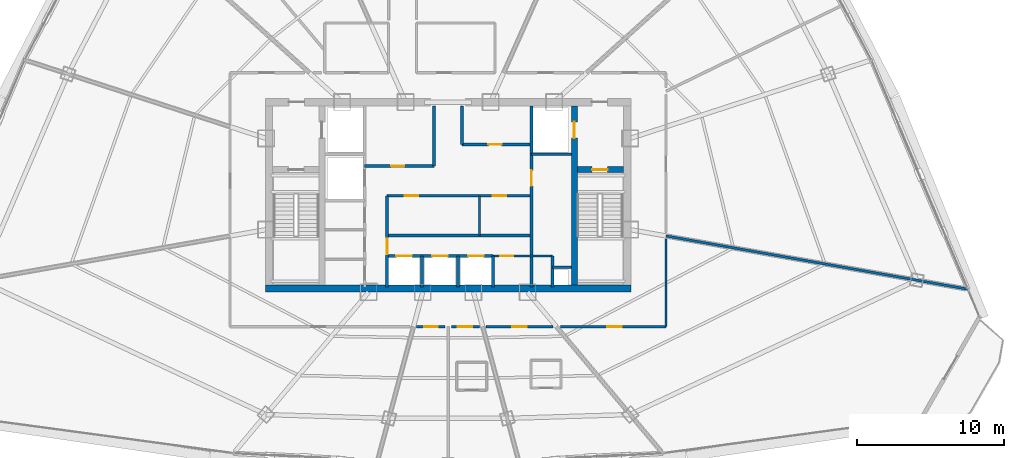
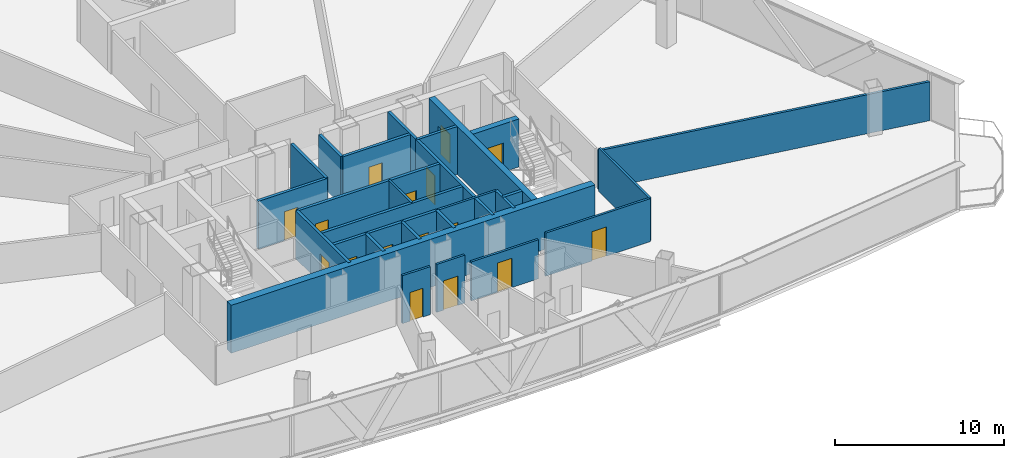
# One storey, part 28 of 34: 27 walls, 16 doors, 16 openings.
"""IFC4 building model written with IfcOpenShell, lengths in metres."""

import ifcopenshell
import ifcopenshell.guid

model = None  # the IFC model being written
_history = None  # IfcOwnerHistory: only IFC2X3 demands one
_inside = {}  # id of a spatial element -> (the spatial element, [elements in it])
_under = {}  # id of a project, library or spatial element -> (it, [spatial elements below it])
_declared = {}  # id of a project -> (the project, [libraries it declares])
_typed = {}  # id of a type object -> (the type object, [elements of that type])
_made_of = {}  # id of a material, layer set ... -> (it, [elements and type objects made of it])


def new_model(schema):
    """Start an empty IFC model of exactly this schema.

    Asked for "IFC4X3", IfcOpenShell would pick the latest addendum, in which some entities
    have other attributes; the version numbers below select the first issue.
    IFC2X3 requires an IfcOwnerHistory on every rooted entity: one is made here for all.
    """
    global model, _history
    if schema == "IFC4X3":
        model = ifcopenshell.file(schema_version=(4, 3, 0, 0))
    else:
        model = ifcopenshell.file(schema=schema)
    _inside.clear()
    _under.clear()
    _declared.clear()
    _typed.clear()
    _made_of.clear()
    _history = None
    if model.schema == "IFC2X3":
        org = make("IfcOrganization", Name="unknown")
        user = make(
            "IfcPersonAndOrganization",
            ThePerson=make("IfcPerson", FamilyName="unknown"),
            TheOrganization=org,
        )
        app = make(
            "IfcApplication",
            ApplicationDeveloper=org,
            Version="unknown",
            ApplicationFullName="unknown",
            ApplicationIdentifier="unknown",
        )
        _history = make(
            "IfcOwnerHistory",
            OwningUser=user,
            OwningApplication=app,
            ChangeAction="ADDED",
            CreationDate=0,
        )
    return model


def make(cls, **values):
    """One entity of the class cls with the attributes given. An attribute that is None is left unset."""
    return model.create_entity(
        cls, **{name: value for name, value in values.items() if value is not None}
    )


def rooted(cls, **values):
    """An entity with a GlobalId (a new one), such as an element, a storey or a relation."""
    return make(cls, GlobalId=ifcopenshell.guid.new(), OwnerHistory=_history, **values)


def si_unit(unit_type, name, prefix=None):
    """IfcSIUnit, for example si_unit("LENGTHUNIT", "METRE", prefix="MILLI")."""
    return make("IfcSIUnit", UnitType=unit_type, Prefix=prefix, Name=name)


def assignment(units):
    """IfcUnitAssignment: the units of a project."""
    return None if units is None else make("IfcUnitAssignment", Units=units)


def point(xyz):
    """IfcCartesianPoint."""
    return None if xyz is None else make("IfcCartesianPoint", Coordinates=xyz)


def direction(xyz):
    """IfcDirection."""
    return None if xyz is None else make("IfcDirection", DirectionRatios=xyz)


def frame(location, z_axis=None, x_axis=None):
    """IfcAxis2Placement3D, a coordinate frame: its origin and axes. An axis left out is left unset."""
    return make(
        "IfcAxis2Placement3D",
        Location=point(location),
        Axis=direction(z_axis),
        RefDirection=direction(x_axis),
    )


def frame_2d(location, x_axis=None):
    """IfcAxis2Placement2D, a coordinate frame in the plane: its origin and x axis."""
    return make(
        "IfcAxis2Placement2D", Location=point(location), RefDirection=direction(x_axis)
    )


def origin():
    """The frame at (0, 0, 0) with its axes left unset."""
    return frame((0.0, 0.0, 0.0))


def origin_with_axes():
    """The frame at (0, 0, 0) with the z axis (0, 0, 1) and the x axis (1, 0, 0) written out."""
    return frame((0.0, 0.0, 0.0), z_axis=(0.0, 0.0, 1.0), x_axis=(1.0, 0.0, 0.0))


def place(relative_to, where):
    """IfcLocalPlacement: puts the frame where relative to a parent placement (None: the world)."""
    return make(
        "IfcLocalPlacement", PlacementRelTo=relative_to, RelativePlacement=where
    )


def context(
    kind, dimensions, precision=None, world=None, true_north=None, identifier=None
):
    """IfcGeometricRepresentationContext, for example the 3D "Model" context."""
    return make(
        "IfcGeometricRepresentationContext",
        ContextIdentifier=identifier,
        ContextType=kind,
        CoordinateSpaceDimension=dimensions,
        Precision=precision,
        WorldCoordinateSystem=world,
        TrueNorth=true_north,
    )


def subcontext(parent, identifier, kind, view, scale=None):
    """IfcGeometricRepresentationSubContext, for example "Body" below "Model"."""
    return make(
        "IfcGeometricRepresentationSubContext",
        ContextIdentifier=identifier,
        ContextType=kind,
        ParentContext=parent,
        TargetScale=scale,
        TargetView=view,
    )


def project(units=None, contexts=None):
    """IfcProject with its units and contexts."""
    return rooted(
        "IfcProject",
        Name="project",
        RepresentationContexts=contexts,
        UnitsInContext=assignment(units),
    )


def spatial(cls, under=None, at=None, **own):
    """A site, building, storey or space (cls), placed at a placement, below another one or the project."""
    s = rooted(cls, ObjectPlacement=at, **own)
    if under is not None:
        _under.setdefault(under.id(), (under, []))[1].append(s)
    return s


def profile(cls, at=None, kind="AREA", **sizes):
    """A parametric profile (cls). Its sizes go by their IFC names, for example OverallWidth=200.0."""
    return make(cls, ProfileType=kind, Position=at, **sizes)


def rectangle(**sizes):
    """IfcRectangleProfileDef."""
    return profile("IfcRectangleProfileDef", **sizes)


def extrude(swept, where, along, depth):
    """IfcExtrudedAreaSolid: the profile swept, set in the frame where, extruded along a direction by depth."""
    return make(
        "IfcExtrudedAreaSolid",
        SweptArea=swept,
        Position=where,
        ExtrudedDirection=direction(along),
        Depth=depth,
    )


def shape(context_of_items, identifier, shape_type, items):
    """IfcShapeRepresentation: the items that make up one representation, for example the "Body"."""
    return make(
        "IfcShapeRepresentation",
        ContextOfItems=context_of_items,
        RepresentationIdentifier=identifier,
        RepresentationType=shape_type,
        Items=items,
    )


def source(mapping_origin, context_of_items, identifier, shape_type, items):
    """IfcRepresentationMap: a shape defined once, which mapped items show again and again."""
    return make(
        "IfcRepresentationMap",
        MappingOrigin=mapping_origin,
        MappedRepresentation=shape(context_of_items, identifier, shape_type, items),
    )


def transform(
    local_origin,
    x_axis=None,
    y_axis=None,
    z_axis=None,
    scale=None,
    scale2=None,
    scale3=None,
    uniform=True,
):
    """IfcCartesianTransformationOperator3D, or its non-uniform kind. x_axis, y_axis, z_axis: its Axis1, 2, 3."""
    if uniform:
        return make(
            "IfcCartesianTransformationOperator3D",
            Axis1=direction(x_axis),
            Axis2=direction(y_axis),
            LocalOrigin=point(local_origin),
            Scale=scale,
            Axis3=direction(z_axis),
        )
    return make(
        "IfcCartesianTransformationOperator3DnonUniform",
        Axis1=direction(x_axis),
        Axis2=direction(y_axis),
        LocalOrigin=point(local_origin),
        Scale=scale,
        Axis3=direction(z_axis),
        Scale2=scale2,
        Scale3=scale3,
    )


def mapped(mapping_source, mapping_target):
    """IfcMappedItem: shows the shape of a source again, moved by a transform."""
    return make(
        "IfcMappedItem", MappingSource=mapping_source, MappingTarget=mapping_target
    )


def material(Name=None, Category=None):
    """IfcMaterial."""
    return make("IfcMaterial", Name=Name, Category=Category)


def layer(
    of_material, thickness, ventilated=None, Name=None, Category=None, Priority=None
):
    """IfcMaterialLayer: one layer of a wall or slab, of a material (None: an air gap)."""
    return make(
        "IfcMaterialLayer",
        Material=of_material,
        LayerThickness=thickness,
        IsVentilated=ventilated,
        Name=Name,
        Category=Category,
        Priority=Priority,
    )


def layer_set(layers, Name=None):
    """IfcMaterialLayerSet."""
    return make("IfcMaterialLayerSet", MaterialLayers=layers, LayerSetName=Name)


def made_of(thing, what):
    """Note that an element or type object is made of a material, layer set ...; save() writes the relation."""
    if what is not None:
        _made_of.setdefault(what.id(), (what, []))[1].append(thing)
    return thing


def type_object(cls, material=None, **own):
    """A type object (cls), such as IfcWallType, which elements share."""
    return made_of(rooted(cls, **own), material)


def element(
    cls,
    number,
    at=None,
    inside=None,
    cuts=None,
    type_object=None,
    material=None,
    context=None,
    identifier="Body",
    shape_type=None,
    held_by="IfcProductDefinitionShape",
    body=None,
    shapes=None,
    **own,
):
    """One element of the class cls, such as IfcWall. Its Tag is "e" and its number.

    at: its placement. inside: the storey or other place that contains it. cuts: it is an
    opening in that element (IfcRelVoidsElement). A single representation is given by context,
    identifier, shape_type and body (its items); several are given by shapes. held_by: the class
    of the entity that holds the representations. save() writes the other relations.
    """
    e = rooted(cls, Tag="e%d" % number, ObjectPlacement=at, **own)
    if body is not None:
        shapes = [shape(context, identifier, shape_type, body)]
    if shapes is not None:
        e.Representation = make(held_by, Representations=shapes)
    if inside is not None:
        _inside.setdefault(inside.id(), (inside, []))[1].append(e)
    if cuts is not None:
        rooted(
            "IfcRelVoidsElement", RelatingBuildingElement=cuts, RelatedOpeningElement=e
        )
    if type_object is not None:
        _typed.setdefault(type_object.id(), (type_object, []))[1].append(e)
    return made_of(e, material)


def fill(opening, filler):
    """IfcRelFillsElement: the door or window that sits in an opening."""
    return rooted(
        "IfcRelFillsElement",
        RelatingOpeningElement=opening,
        RelatedBuildingElement=filler,
    )


def aggregate(whole, parts):
    """IfcRelAggregates: a whole, such as a stair, and the parts it consists of."""
    return rooted("IfcRelAggregates", RelatingObject=whole, RelatedObjects=parts)


def save(model, path):
    """Write the relations noted so far, then the file.

    IfcRelAggregates (storeys below a building ...), IfcRelContainedInSpatialStructure (elements
    in a storey), IfcRelDefinesByType, IfcRelAssociatesMaterial and IfcRelDeclares: one each for
    every whole, place, type object, material and project.
    """
    for whole, parts in _under.values():
        aggregate(whole, parts)
    for where, things in _inside.values():
        rooted(
            "IfcRelContainedInSpatialStructure",
            RelatedElements=things,
            RelatingStructure=where,
        )
    for kind, things in _typed.values():
        rooted("IfcRelDefinesByType", RelatedObjects=things, RelatingType=kind)
    for what, things in _made_of.values():
        rooted("IfcRelAssociatesMaterial", RelatedObjects=things, RelatingMaterial=what)
    for by, libraries in _declared.values():
        rooted("IfcRelDeclares", RelatingContext=by, RelatedDefinitions=libraries)
    model.write(path)


model = new_model("IFC4")

# Units and contexts
model_context = context("Model", 3, precision=1e-05, world=origin(), true_north=direction((0.0, 1.0)))
body_context = subcontext(model_context, "Body", "Model", "MODEL_VIEW")
ifc_project = project(units=[si_unit("LENGTHUNIT", "METRE"), si_unit("AREAUNIT", "SQUARE_METRE"), si_unit("VOLUMEUNIT", "CUBIC_METRE"), si_unit("PLANEANGLEUNIT", "RADIAN"), si_unit("MASSUNIT", "GRAM", prefix="KILO"), si_unit("THERMODYNAMICTEMPERATUREUNIT", "KELVIN"), si_unit("POWERUNIT", "WATT")], contexts=[model_context])

# Site, building, storey
site_placement = place(None, origin())
site = spatial("IfcSite", under=ifc_project, at=site_placement, CompositionType="ELEMENT")
building_placement = place(site_placement, origin())
building = spatial("IfcBuilding", under=site, at=building_placement, Name="Yunzhuo Pagoda Commons", CompositionType="ELEMENT")
storey_placement = place(building_placement, frame((0.0, 0.0, 233.340087890625)))
storey = spatial("IfcBuildingStorey", under=building, at=storey_placement, Name="L58", CompositionType="ELEMENT", Elevation=233.340087890625)

# Walls
ifc_material_1 = material(Name="Concrete C50", Category="concrete")
ifc_layer_1 = layer(ifc_material_1, 0.5)
ifc_layer_set_1 = layer_set([ifc_layer_1], Name="Concrete C50")
wall_type_1 = type_object("IfcWallType", Name="W-C03 Upper Core Shear Wall 500", PredefinedType="SHEAR", material=ifc_layer_set_1)
wall_1_placement = place(storey_placement, frame((35.550048828125, 27.5, 0.0), z_axis=(0.0, 0.0, 1.0), x_axis=(1.0, 0.0, 0.0)))
element("IfcWall", 1, at=wall_1_placement, inside=storey, type_object=wall_type_1, Name="L58 core shear wall S", PredefinedType="SHEAR", context=body_context, shape_type="SweptSolid", body=[
    extrude(rectangle(XDim=24.89990234375, YDim=0.5, at=frame_2d((12.449951171875, 0.0))), origin(), (0.0, 0.0, 1.0), 3.469970703125),
])
ifc_material_2 = material(Name="Gypsum plasterboard on acoustic stud")
ifc_layer_2 = layer(ifc_material_2, 0.14990234375)
ifc_layer_set_2 = layer_set([ifc_layer_2], Name="Gypsum plasterboard on acoustic stud")
wall_type_2 = type_object("IfcWallType", Name="W-COR3 High-Zone Rated Corridor Wall 150", PredefinedType="PARTITIONING", material=ifc_layer_set_2)
wall_2_placement = place(storey_placement, frame((50.14990234375, 31.1201171875, 0.0), z_axis=(0.0, 0.0, 1.0), x_axis=(0.0, 1.0, 0.0)))
element("IfcWall", 2, at=wall_2_placement, inside=storey, type_object=wall_type_2, Name="L58 interior wall IW-L58-FRMD", PredefinedType="PARTITIONING", context=body_context, shape_type="SweptSolid", body=[
    extrude(rectangle(XDim=2.699951171875, YDim=0.14990234375, at=frame_2d((1.35009765625, 0.0))), origin(), (0.0, 0.0, 1.0), 3.469970703125),
])

# Wall, opening, door
wall_3_placement = place(storey_placement, frame((51.050048828125, 29.719970703125, 0.0), z_axis=(0.0, 0.0, 1.0), x_axis=(1.0, 0.0, 0.0)))
wall_3 = element("IfcWall", 3, at=wall_3_placement, inside=storey, type_object=wall_type_2, Name="L58 interior wall IW-L58-CSES", PredefinedType="PARTITIONING", context=body_context, shape_type="SweptSolid", body=[
    extrude(rectangle(XDim=4.070068359375, YDim=0.14990234375, at=frame_2d((2.03515625, 0.0))), origin(), (0.0, 0.0, 1.0), 3.469970703125),
])
opening_1_placement = place(wall_3_placement, frame((0.5, 0.0, 0.0)))
opening_1 = element("IfcOpeningElement", 4, at=opening_1_placement, cuts=wall_3, Name="Opening D-03", PredefinedType="OPENING", context=body_context, shape_type="SweptSolid", body=[
    extrude(rectangle(XDim=0.89990234375, YDim=2.10009765625, at=frame_2d((0.449951171875, 1.050048828125))), frame((0.0, 0.0849609375, 0.0), z_axis=(0.0, -1.0, 0.0), x_axis=(1.0, 0.0, 0.0)), (0.0, 0.0, 1.0), 0.169921875),
])
ifc_material_3 = material(Name="Galvanized fire-resisting metal leaf")
door_type_1 = type_object("IfcDoorType", Name="D-03 Core Service Fire Door 900x2100", OperationType="NOTDEFINED", PredefinedType="DOOR", material=ifc_material_3)
shared_shape_1 = source(origin(), body_context, "Body", "SweptSolid", [
    extrude(rectangle(XDim=0.89990234375, YDim=2.10009765625, at=frame_2d((0.449951171875, 1.050048828125))), frame((0.0, 0.02490234375, 0.0), z_axis=(0.0, -1.0, 0.0), x_axis=(1.0, 0.0, 0.0)), (0.0, 0.0, 1.0), 0.050048828125),
])
door_1_placement = place(opening_1_placement, origin_with_axes())
door_1 = element("IfcDoor", 5, at=door_1_placement, inside=storey, type_object=door_type_1, Name="L58 core pantry door", OperationType="SINGLE_SWING_RIGHT", OverallHeight=2.10009765625, OverallWidth=0.89990234375, PredefinedType="DOOR", context=body_context, shape_type="MappedRepresentation", body=[
    mapped(shared_shape_1, transform((0.0, 0.0, 0.0), scale=1.0)),
])
fill(opening_1, door_1)

# Wall
wall_4_placement = place(storey_placement, frame((62.85009765625, 30.858154296875, 0.0), z_axis=(0.0, 0.0, 1.0), x_axis=(0.0, -1.0, 0.0)))
element("IfcWall", 6, at=wall_4_placement, inside=storey, type_object=wall_type_2, Name="L58 interior wall IW-L58-CWL12", PredefinedType="PARTITIONING", context=body_context, shape_type="SweptSolid", body=[
    extrude(rectangle(XDim=5.958251953125, YDim=0.14990234375, at=frame_2d((2.97900390625, 0.0))), origin(), (0.0, 0.0, 1.0), 3.119873046875),
])

# Wall, opening, door
wall_5_placement = place(storey_placement, frame((62.85009765625, 24.89990234375, 0.0), z_axis=(0.0, 0.0, 1.0), x_axis=(-1.0, 0.0, 0.0)))
wall_5 = element("IfcWall", 7, at=wall_5_placement, inside=storey, type_object=wall_type_2, Name="L58 interior wall IW-L58-CWL13", PredefinedType="PARTITIONING", context=body_context, shape_type="SweptSolid", body=[
    extrude(rectangle(XDim=7.1787109375, YDim=0.14990234375, at=frame_2d((3.58935546875, 0.0))), origin(), (0.0, 0.0, 1.0), 3.119873046875),
])
opening_2_placement = place(wall_5_placement, frame((3.028076171875, 0.0, 0.0)))
opening_2 = element("IfcOpeningElement", 8, at=opening_2_placement, cuts=wall_5, Name="Opening D-08", PredefinedType="OPENING", context=body_context, shape_type="SweptSolid", body=[
    extrude(rectangle(XDim=0.97998046875, YDim=2.1201171875, at=frame_2d((0.489990234375, 1.06005859375))), frame((0.0, 0.0849609375, 0.0), z_axis=(0.0, -1.0, 0.0), x_axis=(1.0, 0.0, 0.0)), (0.0, 0.0, 1.0), 0.169921875),
])
door_type_2 = type_object("IfcDoorType", Name="D-08 High-Zone Suite Entrance Fire Door 980x2120", OperationType="NOTDEFINED", PredefinedType="DOOR", material=ifc_material_3)
shared_shape_2 = source(origin(), body_context, "Body", "SweptSolid", [
    extrude(rectangle(XDim=0.97998046875, YDim=2.1201171875, at=frame_2d((0.489990234375, 1.06005859375))), frame((0.0, 0.02490234375, 0.0), z_axis=(0.0, -1.0, 0.0), x_axis=(1.0, 0.0, 0.0)), (0.0, 0.0, 1.0), 0.050048828125),
])
door_2_placement = place(opening_2_placement, origin_with_axes())
door_2 = element("IfcDoor", 9, at=door_2_placement, inside=storey, type_object=door_type_2, Name="L58 unit 13 entrance door", OperationType="SINGLE_SWING_LEFT", OverallHeight=2.1201171875, OverallWidth=0.97998046875, PredefinedType="DOOR", context=body_context, shape_type="MappedRepresentation", body=[
    mapped(shared_shape_2, transform((0.0, 0.0, 0.0), scale=1.0)),
])
fill(opening_2, door_2)

wall_6_placement = place(storey_placement, frame((55.164306640625, 24.89990234375, 0.0), z_axis=(0.0, 0.0, 1.0), x_axis=(-1.0, 0.0, 0.0)))
wall_6 = element("IfcWall", 10, at=wall_6_placement, inside=storey, type_object=wall_type_2, Name="L58 interior wall IW-L58-CWL14", PredefinedType="PARTITIONING", context=body_context, shape_type="SweptSolid", body=[
    extrude(rectangle(XDim=4.57861328125, YDim=0.14990234375, at=frame_2d((2.289306640625, 0.0))), origin(), (0.0, 0.0, 1.0), 2.81982421875),
])
opening_3_placement = place(wall_6_placement, frame((1.818115234375, 0.0, 0.0)))
opening_3 = element("IfcOpeningElement", 11, at=opening_3_placement, cuts=wall_6, Name="Opening D-08", PredefinedType="OPENING", context=body_context, shape_type="SweptSolid", body=[
    extrude(rectangle(XDim=0.97998046875, YDim=2.1201171875, at=frame_2d((0.489990234375, 1.06005859375))), frame((0.0, 0.0849609375, 0.0), z_axis=(0.0, -1.0, 0.0), x_axis=(1.0, 0.0, 0.0)), (0.0, 0.0, 1.0), 0.169921875),
])
door_3_placement = place(opening_3_placement, origin_with_axes())
door_3 = element("IfcDoor", 12, at=door_3_placement, inside=storey, type_object=door_type_2, Name="L58 unit 12 entrance door", OperationType="SINGLE_SWING_RIGHT", OverallHeight=2.1201171875, OverallWidth=0.97998046875, PredefinedType="DOOR", context=body_context, shape_type="MappedRepresentation", body=[
    mapped(shared_shape_2, transform((0.0, 0.0, 0.0), scale=1.0)),
])
fill(opening_3, door_3)

wall_7_placement = place(storey_placement, frame((50.13818359375, 24.89990234375, 0.0), z_axis=(0.0, 0.0, 1.0), x_axis=(-1.0, 0.0, 0.0)))
wall_7 = element("IfcWall", 13, at=wall_7_placement, inside=storey, type_object=wall_type_2, Name="L58 interior wall IW-L58-CWL15", PredefinedType="PARTITIONING", context=body_context, shape_type="SweptSolid", body=[
    extrude(rectangle(XDim=1.918212890625, YDim=0.14990234375, at=frame_2d((0.958984375, 0.0))), origin(), (0.0, 0.0, 1.0), 3.469970703125),
])
opening_4_placement = place(wall_7_placement, frame((0.484130859375, 0.0, 0.0)))
opening_4 = element("IfcOpeningElement", 14, at=opening_4_placement, cuts=wall_7, Name="Opening D-08", PredefinedType="OPENING", context=body_context, shape_type="SweptSolid", body=[
    extrude(rectangle(XDim=0.97998046875, YDim=2.1201171875, at=frame_2d((0.489990234375, 1.06005859375))), frame((0.0, 0.0849609375, 0.0), z_axis=(0.0, -1.0, 0.0), x_axis=(1.0, 0.0, 0.0)), (0.0, 0.0, 1.0), 0.169921875),
])
door_4_placement = place(opening_4_placement, origin_with_axes())
door_4 = element("IfcDoor", 15, at=door_4_placement, inside=storey, type_object=door_type_2, Name="L58 unit 11 entrance door", OperationType="SINGLE_SWING_LEFT", OverallHeight=2.1201171875, OverallWidth=0.97998046875, PredefinedType="DOOR", context=body_context, shape_type="MappedRepresentation", body=[
    mapped(shared_shape_2, transform((0.0, 0.0, 0.0), scale=1.0)),
])
fill(opening_4, door_4)

wall_8_placement = place(storey_placement, frame((47.780029296875, 24.89990234375, 0.0), z_axis=(0.0, 0.0, 1.0), x_axis=(-1.0, 0.0, 0.0)))
wall_8 = element("IfcWall", 16, at=wall_8_placement, inside=storey, type_object=wall_type_2, Name="L58 interior wall IW-L58-CWL16", PredefinedType="PARTITIONING", context=body_context, shape_type="SweptSolid", body=[
    extrude(rectangle(XDim=1.918212890625, YDim=0.14990234375, at=frame_2d((0.958984375, 0.0))), origin(), (0.0, 0.0, 1.0), 3.469970703125),
])
opening_5_placement = place(wall_8_placement, frame((0.4990234375, 0.0, 0.0)))
opening_5 = element("IfcOpeningElement", 17, at=opening_5_placement, cuts=wall_8, Name="Opening D-12", PredefinedType="OPENING", context=body_context, shape_type="SweptSolid", body=[
    extrude(rectangle(XDim=0.89990234375, YDim=2.080078125, at=frame_2d((0.449951171875, 1.0400390625))), frame((0.0, 0.0849609375, 0.0), z_axis=(0.0, -1.0, 0.0), x_axis=(1.0, 0.0, 0.0)), (0.0, 0.0, 1.0), 0.169921875),
])
ifc_material_4 = material(Name="Powder-coated aluminium and timber acoustic leaf", Category="wood")
door_type_3 = type_object("IfcDoorType", Name="D-12 Quiet Study Interior Door 900x2080", OperationType="NOTDEFINED", PredefinedType="DOOR", material=ifc_material_4)
shared_shape_3 = source(origin(), body_context, "Body", "SweptSolid", [
    extrude(rectangle(XDim=0.89990234375, YDim=2.080078125, at=frame_2d((0.449951171875, 1.0400390625))), frame((0.0, 0.02490234375, 0.0), z_axis=(0.0, -1.0, 0.0), x_axis=(1.0, 0.0, 0.0)), (0.0, 0.0, 1.0), 0.050048828125),
])
door_5_placement = place(opening_5_placement, origin_with_axes())
door_5 = element("IfcDoor", 18, at=door_5_placement, inside=storey, type_object=door_type_3, Name="L58 study lounge 10 door", OperationType="SINGLE_SWING_RIGHT", OverallHeight=2.080078125, OverallWidth=0.89990234375, PredefinedType="DOOR", context=body_context, shape_type="MappedRepresentation", body=[
    mapped(shared_shape_3, transform((0.0, 0.0, 0.0), scale=1.0)),
])
fill(opening_5, door_5)

# Wall
ifc_layer_3 = layer(ifc_material_2, 0.169921875)
ifc_layer_set_3 = layer_set([ifc_layer_3], Name="Gypsum plasterboard on acoustic stud")
wall_type_3 = type_object("IfcWallType", Name="W-PRT4 High-Zone Demising Wall 170", PredefinedType="PARTITIONING", material=ifc_layer_set_3)
wall_9_placement = place(storey_placement, frame((62.85009765625, 31.08154296875, 0.0), z_axis=(0.0, 0.0, 1.0), x_axis=(0.984808138799, -0.17364598975, 0.0)))
element("IfcWall", 19, at=wall_9_placement, inside=storey, type_object=wall_type_3, Name="L58 interior wall IW-L58-RAD13", PredefinedType="PARTITIONING", context=body_context, shape_type="SweptSolid", body=[
    extrude(rectangle(XDim=20.889892578125, YDim=0.169921875, at=frame_2d((10.44482421875, 0.0))), origin(), (0.0, 0.0, 1.0), 2.81982421875),
])

# Wall, opening, door
ifc_material_5 = material(Name="Concrete C60", Category="concrete")
ifc_layer_4 = layer(ifc_material_5, 0.39990234375)
ifc_layer_set_4 = layer_set([ifc_layer_4], Name="Concrete C60")
wall_type_4 = type_object("IfcWallType", Name="W-S01 Internal Core Shear Web 400", PredefinedType="SHEAR", material=ifc_layer_set_4)
wall_10_placement = place(storey_placement, frame((56.60009765625, 27.75, 0.0), z_axis=(0.0, 0.0, 1.0), x_axis=(0.0, 1.0, 0.0)))
wall_10 = element("IfcWall", 20, at=wall_10_placement, inside=storey, type_object=wall_type_4, Name="L58 core shear wall WEBE", PredefinedType="SHEAR", context=body_context, shape_type="SweptSolid", body=[
    extrude(rectangle(XDim=12.199951171875, YDim=0.39990234375, at=frame_2d((6.10009765625, 0.0))), origin(), (0.0, 0.0, 1.0), 3.469970703125),
])
opening_6_placement = place(wall_10_placement, frame((10.0, 0.0, 0.0)))
opening_6 = element("IfcOpeningElement", 21, at=opening_6_placement, cuts=wall_10, Name="Opening LD-01", PredefinedType="OPENING", context=body_context, shape_type="SweptSolid", body=[
    extrude(rectangle(XDim=1.10009765625, YDim=2.10009765625, at=frame_2d((0.550048828125, 1.050048828125))), frame((0.0, 0.2099609375, 0.0), z_axis=(0.0, -1.0, 0.0), x_axis=(1.0, 0.0, 0.0)), (0.0, 0.0, 1.0), 0.419921875),
])
door_type_4 = type_object("IfcDoorType", Name="LD-01 Firefighting Lift Landing Door 1100x2100", OperationType="DOUBLE_DOOR_SLIDING", PredefinedType="DOOR", material=ifc_material_3)
shared_shape_4 = source(origin(), body_context, "Body", "SweptSolid", [
    extrude(rectangle(XDim=1.10009765625, YDim=2.10009765625, at=frame_2d((0.550048828125, 1.050048828125))), frame((0.0, 0.02490234375, 0.0), z_axis=(0.0, -1.0, 0.0), x_axis=(1.0, 0.0, 0.0)), (0.0, 0.0, 1.0), 0.050048828125),
])
door_6_placement = place(opening_6_placement, origin_with_axes())
door_6 = element("IfcDoor", 22, at=door_6_placement, inside=storey, type_object=door_type_4, Name="L58 Firefighting lift FL-2 landing door", OperationType="DOUBLE_DOOR_SLIDING", OverallHeight=2.10009765625, OverallWidth=1.10009765625, PredefinedType="DOOR", context=body_context, shape_type="MappedRepresentation", body=[
    mapped(shared_shape_4, transform((0.0, 0.0, 0.0), scale=1.0)),
])
fill(opening_6, door_6)

wall_11_placement = place(storey_placement, frame((56.800048828125, 35.60009765625, 0.0), z_axis=(0.0, 0.0, 1.0), x_axis=(1.0, 0.0, 0.0)))
wall_11 = element("IfcWall", 23, at=wall_11_placement, inside=storey, type_object=wall_type_4, Name="L58 core shear wall STE", PredefinedType="SHEAR", context=body_context, shape_type="SweptSolid", body=[
    extrude(rectangle(XDim=3.14990234375, YDim=0.39990234375, at=frame_2d((1.574951171875, 0.0))), origin(), (0.0, 0.0, 1.0), 3.469970703125),
])
opening_7_placement = place(wall_11_placement, frame((1.02001953125, 0.0, 0.0)))
opening_7 = element("IfcOpeningElement", 24, at=opening_7_placement, cuts=wall_11, Name="Opening D-01", PredefinedType="OPENING", context=body_context, shape_type="SweptSolid", body=[
    extrude(rectangle(XDim=1.050048828125, YDim=2.10009765625, at=frame_2d((0.52490234375, 1.050048828125))), frame((0.0, 0.2099609375, 0.0), z_axis=(0.0, -1.0, 0.0), x_axis=(1.0, 0.0, 0.0)), (0.0, 0.0, 1.0), 0.419921875),
])
door_type_5 = type_object("IfcDoorType", Name="D-01 Smokeproof Stair Fire Door 1050x2100", OperationType="NOTDEFINED", PredefinedType="DOOR", material=ifc_material_3)
shared_shape_5 = source(origin(), body_context, "Body", "SweptSolid", [
    extrude(rectangle(XDim=1.050048828125, YDim=2.10009765625, at=frame_2d((0.52490234375, 1.050048828125))), frame((0.0, 0.02490234375, 0.0), z_axis=(0.0, -1.0, 0.0), x_axis=(1.0, 0.0, 0.0)), (0.0, 0.0, 1.0), 0.050048828125),
])
door_7_placement = place(opening_7_placement, frame((1.050048828125, 0.0, 0.0), z_axis=(0.0, 0.0, 1.0), x_axis=(-1.0, 0.0, 0.0)))
door_7 = element("IfcDoor", 25, at=door_7_placement, inside=storey, type_object=door_type_5, Name="L58 Stair ST2 fire door", OperationType="SINGLE_SWING_RIGHT", OverallHeight=2.10009765625, OverallWidth=1.050048828125, PredefinedType="DOOR", context=body_context, shape_type="MappedRepresentation", body=[
    mapped(shared_shape_5, transform((0.0, 0.0, 0.0), scale=1.0)),
])
fill(opening_7, door_7)

# Walls
ifc_material_6 = material(Name="Concrete C40", Category="concrete")
ifc_layer_5 = layer(ifc_material_6, 0.199951171875)
ifc_layer_set_5 = layer_set([ifc_layer_5], Name="Concrete C40")
wall_type_5 = type_object("IfcWallType", Name="W-SHF Shaft & Stair Enclosure Wall 200", PredefinedType="SOLIDWALL", material=ifc_layer_set_5)
wall_12_placement = place(storey_placement, frame((53.679931640625, 36.64990234375, 0.0), z_axis=(0.0, 0.0, 1.0), x_axis=(0.0, 1.0, 0.0)))
element("IfcWall", 26, at=wall_12_placement, inside=storey, type_object=wall_type_5, Name="L58 interior wall IW-L58-FL2W", PredefinedType="SOLIDWALL", context=body_context, shape_type="SweptSolid", body=[
    extrude(rectangle(XDim=3.300048828125, YDim=0.199951171875, at=frame_2d((1.64990234375, 0.0))), origin(), (0.0, 0.0, 1.0), 3.469970703125),
])
wall_13_placement = place(storey_placement, frame((53.679931640625, 36.64990234375, 0.0), z_axis=(0.0, 0.0, 1.0), x_axis=(1.0, 0.0, 0.0)))
element("IfcWall", 27, at=wall_13_placement, inside=storey, type_object=wall_type_5, Name="L58 interior wall IW-L58-FL2S", PredefinedType="SOLIDWALL", context=body_context, shape_type="SweptSolid", body=[
    extrude(rectangle(XDim=2.719970703125, YDim=0.199951171875, at=frame_2d((1.35986328125, 0.0))), origin(), (0.0, 0.0, 1.0), 3.469970703125),
])

# Wall, opening, door
wall_14_placement = place(storey_placement, frame((42.320068359375, 35.85009765625, 0.0), z_axis=(0.0, 0.0, 1.0), x_axis=(1.0, 0.0, 0.0)))
wall_14 = element("IfcWall", 28, at=wall_14_placement, inside=storey, type_object=wall_type_5, Name="L58 interior wall IW-L58-LBNW", PredefinedType="SOLIDWALL", context=body_context, shape_type="SweptSolid", body=[
    extrude(rectangle(XDim=4.72998046875, YDim=0.199951171875, at=frame_2d((2.364990234375, 0.0))), origin(), (0.0, 0.0, 1.0), 3.469970703125),
])
opening_8_placement = place(wall_14_placement, frame((1.800048828125, 0.0, 0.0)))
opening_8 = element("IfcOpeningElement", 29, at=opening_8_placement, cuts=wall_14, Name="Opening D-03", PredefinedType="OPENING", context=body_context, shape_type="SweptSolid", body=[
    extrude(rectangle(XDim=0.89990234375, YDim=2.10009765625, at=frame_2d((0.449951171875, 1.050048828125))), frame((0.0, 0.10986328125, 0.0), z_axis=(0.0, -1.0, 0.0), x_axis=(1.0, 0.0, 0.0)), (0.0, 0.0, 1.0), 0.219970703125),
])
door_8_placement = place(opening_8_placement, frame((0.89990234375, 0.0, 0.0), z_axis=(0.0, 0.0, 1.0), x_axis=(-1.0, 0.0, 0.0)))
door_8 = element("IfcDoor", 30, at=door_8_placement, inside=storey, type_object=door_type_1, Name="L58 core west store door", OperationType="SINGLE_SWING_LEFT", OverallHeight=2.10009765625, OverallWidth=0.89990234375, PredefinedType="DOOR", context=body_context, shape_type="MappedRepresentation", body=[
    mapped(shared_shape_1, transform((0.0, 0.0, 0.0), scale=1.0)),
])
fill(opening_8, door_8)

wall_15_placement = place(storey_placement, frame((48.949951171875, 37.320068359375, 0.0), z_axis=(0.0, 0.0, 1.0), x_axis=(1.0, 0.0, 0.0)))
wall_15 = element("IfcWall", 31, at=wall_15_placement, inside=storey, type_object=wall_type_5, Name="L58 interior wall IW-L58-LBNE", PredefinedType="SOLIDWALL", context=body_context, shape_type="SweptSolid", body=[
    extrude(rectangle(XDim=4.72998046875, YDim=0.199951171875, at=frame_2d((2.364990234375, 0.0))), origin(), (0.0, 0.0, 1.0), 3.469970703125),
])
opening_9_placement = place(wall_15_placement, frame((1.800048828125, 0.0, 0.0)))
opening_9 = element("IfcOpeningElement", 32, at=opening_9_placement, cuts=wall_15, Name="Opening D-03", PredefinedType="OPENING", context=body_context, shape_type="SweptSolid", body=[
    extrude(rectangle(XDim=0.89990234375, YDim=2.10009765625, at=frame_2d((0.449951171875, 1.050048828125))), frame((0.0, 0.10986328125, 0.0), z_axis=(0.0, -1.0, 0.0), x_axis=(1.0, 0.0, 0.0)), (0.0, 0.0, 1.0), 0.219970703125),
])
door_9_placement = place(opening_9_placement, frame((0.89990234375, 0.0, 0.0), z_axis=(0.0, 0.0, 1.0), x_axis=(-1.0, 0.0, 0.0)))
door_9 = element("IfcDoor", 33, at=door_9_placement, inside=storey, type_object=door_type_1, Name="L58 core east store door", OperationType="SINGLE_SWING_RIGHT", OverallHeight=2.10009765625, OverallWidth=0.89990234375, PredefinedType="DOOR", context=body_context, shape_type="MappedRepresentation", body=[
    mapped(shared_shape_1, transform((0.0, 0.0, 0.0), scale=1.0)),
])
fill(opening_9, door_9)

# Walls
wall_16_placement = place(storey_placement, frame((47.050048828125, 35.85009765625, 0.0), z_axis=(0.0, 0.0, 1.0), x_axis=(0.0, 1.0, 0.0)))
element("IfcWall", 34, at=wall_16_placement, inside=storey, type_object=wall_type_5, Name="L58 interior wall IW-L58-THRW", PredefinedType="SOLIDWALL", context=body_context, shape_type="SweptSolid", body=[
    extrude(rectangle(XDim=4.099853515625, YDim=0.199951171875, at=frame_2d((2.0498046875, 0.0))), origin(), (0.0, 0.0, 1.0), 3.469970703125),
])
wall_17_placement = place(storey_placement, frame((48.949951171875, 37.320068359375, 0.0), z_axis=(0.0, 0.0, 1.0), x_axis=(0.0, 1.0, 0.0)))
element("IfcWall", 35, at=wall_17_placement, inside=storey, type_object=wall_type_5, Name="L58 interior wall IW-L58-THRE", PredefinedType="SOLIDWALL", context=body_context, shape_type="SweptSolid", body=[
    extrude(rectangle(XDim=2.6298828125, YDim=0.199951171875, at=frame_2d((1.31494140625, 0.0))), origin(), (0.0, 0.0, 1.0), 3.469970703125),
])

# Wall, openings, doors
wall_18_placement = place(storey_placement, frame((43.85009765625, 33.820068359375, 0.0), z_axis=(0.0, 0.0, 1.0), x_axis=(1.0, 0.0, 0.0)))
wall_18 = element("IfcWall", 36, at=wall_18_placement, inside=storey, type_object=wall_type_5, Name="L58 interior wall IW-L58-MLBS", PredefinedType="SOLIDWALL", context=body_context, shape_type="SweptSolid", body=[
    extrude(rectangle(XDim=9.829833984375, YDim=0.199951171875, at=frame_2d((4.9150390625, 0.0))), origin(), (0.0, 0.0, 1.0), 3.469970703125),
])
opening_10_placement = place(wall_18_placement, frame((1.199951171875, 0.0, 0.0)))
opening_10 = element("IfcOpeningElement", 37, at=opening_10_placement, cuts=wall_18, Name="Opening D-03", PredefinedType="OPENING", context=body_context, shape_type="SweptSolid", body=[
    extrude(rectangle(XDim=0.89990234375, YDim=2.10009765625, at=frame_2d((0.449951171875, 1.050048828125))), frame((0.0, 0.10986328125, 0.0), z_axis=(0.0, -1.0, 0.0), x_axis=(1.0, 0.0, 0.0)), (0.0, 0.0, 1.0), 0.219970703125),
])
opening_11_placement = place(wall_18_placement, frame((7.199951171875, 0.0, 0.0)))
opening_11 = element("IfcOpeningElement", 38, at=opening_11_placement, cuts=wall_18, Name="Opening D-03", PredefinedType="OPENING", context=body_context, shape_type="SweptSolid", body=[
    extrude(rectangle(XDim=0.89990234375, YDim=2.10009765625, at=frame_2d((0.449951171875, 1.050048828125))), frame((0.0, 0.10986328125, 0.0), z_axis=(0.0, -1.0, 0.0), x_axis=(1.0, 0.0, 0.0)), (0.0, 0.0, 1.0), 0.219970703125),
])
door_10_placement = place(opening_10_placement, origin_with_axes())
door_10 = element("IfcDoor", 39, at=door_10_placement, inside=storey, type_object=door_type_1, Name="L58 core mid-west store door", OperationType="SINGLE_SWING_LEFT", OverallHeight=2.10009765625, OverallWidth=0.89990234375, PredefinedType="DOOR", context=body_context, shape_type="MappedRepresentation", body=[
    mapped(shared_shape_1, transform((0.0, 0.0, 0.0), scale=1.0)),
])
fill(opening_10, door_10)
door_11_placement = place(opening_11_placement, origin_with_axes())
door_11 = element("IfcDoor", 40, at=door_11_placement, inside=storey, type_object=door_type_1, Name="L58 core mid-east store door", OperationType="SINGLE_SWING_RIGHT", OverallHeight=2.10009765625, OverallWidth=0.89990234375, PredefinedType="DOOR", context=body_context, shape_type="MappedRepresentation", body=[
    mapped(shared_shape_1, transform((0.0, 0.0, 0.0), scale=1.0)),
])
fill(opening_11, door_11)

# Wall, opening, door
wall_19_placement = place(storey_placement, frame((43.85009765625, 27.60009765625, 0.0), z_axis=(0.0, 0.0, 1.0), x_axis=(0.0, 1.0, 0.0)))
wall_19 = element("IfcWall", 41, at=wall_19_placement, inside=storey, type_object=wall_type_5, Name="L58 interior wall IW-L58-PLMW", PredefinedType="SOLIDWALL", context=body_context, shape_type="SweptSolid", body=[
    extrude(rectangle(XDim=6.219970703125, YDim=0.199951171875, at=frame_2d((3.10986328125, 0.0))), origin(), (0.0, 0.0, 1.0), 3.469970703125),
])
opening_12_placement = place(wall_19_placement, frame((2.25, 0.0, 0.0)))
opening_12 = element("IfcOpeningElement", 42, at=opening_12_placement, cuts=wall_19, Name="Opening D-02", PredefinedType="OPENING", context=body_context, shape_type="SweptSolid", body=[
    extrude(rectangle(XDim=1.050048828125, YDim=2.10009765625, at=frame_2d((0.52490234375, 1.050048828125))), frame((0.0, 0.10986328125, 0.0), z_axis=(0.0, -1.0, 0.0), x_axis=(1.0, 0.0, 0.0)), (0.0, 0.0, 1.0), 0.219970703125),
])
door_type_6 = type_object("IfcDoorType", Name="D-02 Firefighting Lobby & Refuge Fire Door 1050x2100", OperationType="NOTDEFINED", PredefinedType="DOOR", material=ifc_material_3)
door_12_placement = place(opening_12_placement, frame((1.050048828125, 0.0, 0.0), z_axis=(0.0, 0.0, 1.0), x_axis=(-1.0, 0.0, 0.0)))
door_12 = element("IfcDoor", 43, at=door_12_placement, inside=storey, type_object=door_type_6, Name="L58 High-bank hall west door", OperationType="SINGLE_SWING_LEFT", OverallHeight=2.10009765625, OverallWidth=1.050048828125, PredefinedType="DOOR", context=body_context, shape_type="MappedRepresentation", body=[
    mapped(shared_shape_5, transform((0.0, 0.0, 0.0), scale=1.0)),
])
fill(opening_12, door_12)

wall_20_placement = place(storey_placement, frame((53.679931640625, 27.60009765625, 0.0), z_axis=(0.0, 0.0, 1.0), x_axis=(0.0, 1.0, 0.0)))
wall_20 = element("IfcWall", 44, at=wall_20_placement, inside=storey, type_object=wall_type_5, Name="L58 interior wall IW-L58-PLME", PredefinedType="SOLIDWALL", context=body_context, shape_type="SweptSolid", body=[
    extrude(rectangle(XDim=9.0498046875, YDim=0.199951171875, at=frame_2d((4.52490234375, 0.0))), origin(), (0.0, 0.0, 1.0), 3.469970703125),
])
opening_13_placement = place(wall_20_placement, frame((6.89990234375, 0.0, 0.0)))
opening_13 = element("IfcOpeningElement", 45, at=opening_13_placement, cuts=wall_20, Name="Opening D-02", PredefinedType="OPENING", context=body_context, shape_type="SweptSolid", body=[
    extrude(rectangle(XDim=1.050048828125, YDim=2.10009765625, at=frame_2d((0.52490234375, 1.050048828125))), frame((0.0, 0.10986328125, 0.0), z_axis=(0.0, -1.0, 0.0), x_axis=(1.0, 0.0, 0.0)), (0.0, 0.0, 1.0), 0.219970703125),
])
door_13_placement = place(opening_13_placement, origin_with_axes())
door_13 = element("IfcDoor", 46, at=door_13_placement, inside=storey, type_object=door_type_6, Name="L58 High-bank lift hall door", OperationType="SINGLE_SWING_RIGHT", OverallHeight=2.10009765625, OverallWidth=1.050048828125, PredefinedType="DOOR", context=body_context, shape_type="MappedRepresentation", body=[
    mapped(shared_shape_5, transform((0.0, 0.0, 0.0), scale=1.0)),
])
fill(opening_13, door_13)

# Wall, openings, doors
wall_21_placement = place(storey_placement, frame((43.85009765625, 29.719970703125, 0.0), z_axis=(0.0, 0.0, 1.0), x_axis=(1.0, 0.0, 0.0)))
wall_21 = element("IfcWall", 47, at=wall_21_placement, inside=storey, type_object=wall_type_5, Name="L58 interior wall IW-L58-PLHN", PredefinedType="SOLIDWALL", context=body_context, shape_type="SweptSolid", body=[
    extrude(rectangle(XDim=7.199951171875, YDim=0.199951171875, at=frame_2d((3.60009765625, 0.0))), origin(), (0.0, 0.0, 1.0), 3.469970703125),
])
opening_14_placement = place(wall_21_placement, frame((0.625, 0.0, 0.0)))
opening_14 = element("IfcOpeningElement", 48, at=opening_14_placement, cuts=wall_21, Name="Opening LD-02", PredefinedType="OPENING", context=body_context, shape_type="SweptSolid", body=[
    extrude(rectangle(XDim=1.050048828125, YDim=2.10009765625, at=frame_2d((0.52490234375, 1.050048828125))), frame((0.0, 0.10986328125, 0.0), z_axis=(0.0, -1.0, 0.0), x_axis=(1.0, 0.0, 0.0)), (0.0, 0.0, 1.0), 0.219970703125),
])
opening_15_placement = place(wall_21_placement, frame((3.074951171875, 0.0, 0.0)))
opening_15 = element("IfcOpeningElement", 49, at=opening_15_placement, cuts=wall_21, Name="Opening LD-02", PredefinedType="OPENING", context=body_context, shape_type="SweptSolid", body=[
    extrude(rectangle(XDim=1.050048828125, YDim=2.10009765625, at=frame_2d((0.52490234375, 1.050048828125))), frame((0.0, 0.10986328125, 0.0), z_axis=(0.0, -1.0, 0.0), x_axis=(1.0, 0.0, 0.0)), (0.0, 0.0, 1.0), 0.219970703125),
])
opening_16_placement = place(wall_21_placement, frame((5.52490234375, 0.0, 0.0)))
opening_16 = element("IfcOpeningElement", 50, at=opening_16_placement, cuts=wall_21, Name="Opening LD-02", PredefinedType="OPENING", context=body_context, shape_type="SweptSolid", body=[
    extrude(rectangle(XDim=1.050048828125, YDim=2.10009765625, at=frame_2d((0.52490234375, 1.050048828125))), frame((0.0, 0.10986328125, 0.0), z_axis=(0.0, -1.0, 0.0), x_axis=(1.0, 0.0, 0.0)), (0.0, 0.0, 1.0), 0.219970703125),
])
door_type_7 = type_object("IfcDoorType", Name="LD-02 Passenger Lift Landing Door 1050x2100", OperationType="DOUBLE_DOOR_SLIDING", PredefinedType="DOOR", material=ifc_material_3)
door_14_placement = place(opening_14_placement, origin_with_axes())
door_14 = element("IfcDoor", 51, at=door_14_placement, inside=storey, type_object=door_type_7, Name="L58 Passenger lift PL-H1 landing door", OperationType="DOUBLE_DOOR_SLIDING", OverallHeight=2.10009765625, OverallWidth=1.050048828125, PredefinedType="DOOR", context=body_context, shape_type="MappedRepresentation", body=[
    mapped(shared_shape_5, transform((0.0, 0.0, 0.0), scale=1.0)),
])
fill(opening_14, door_14)
door_15_placement = place(opening_15_placement, origin_with_axes())
door_15 = element("IfcDoor", 52, at=door_15_placement, inside=storey, type_object=door_type_7, Name="L58 Passenger lift PL-H2 landing door", OperationType="DOUBLE_DOOR_SLIDING", OverallHeight=2.10009765625, OverallWidth=1.050048828125, PredefinedType="DOOR", context=body_context, shape_type="MappedRepresentation", body=[
    mapped(shared_shape_5, transform((0.0, 0.0, 0.0), scale=1.0)),
])
fill(opening_15, door_15)
door_16_placement = place(opening_16_placement, origin_with_axes())
door_16 = element("IfcDoor", 53, at=door_16_placement, inside=storey, type_object=door_type_7, Name="L58 Passenger lift PL-H3 landing door", OperationType="DOUBLE_DOOR_SLIDING", OverallHeight=2.10009765625, OverallWidth=1.050048828125, PredefinedType="DOOR", context=body_context, shape_type="MappedRepresentation", body=[
    mapped(shared_shape_5, transform((0.0, 0.0, 0.0), scale=1.0)),
])
fill(opening_16, door_16)

# Walls
wall_22_placement = place(storey_placement, frame((51.050048828125, 27.60009765625, 0.0), z_axis=(0.0, 0.0, 1.0), x_axis=(0.0, 1.0, 0.0)))
element("IfcWall", 54, at=wall_22_placement, inside=storey, type_object=wall_type_5, Name="L58 interior wall IW-L58-PLHE", PredefinedType="SOLIDWALL", context=body_context, shape_type="SweptSolid", body=[
    extrude(rectangle(XDim=2.119873046875, YDim=0.199951171875, at=frame_2d((1.06005859375, 0.0))), origin(), (0.0, 0.0, 1.0), 3.469970703125),
])
wall_23_placement = place(storey_placement, frame((43.85009765625, 31.1201171875, 0.0), z_axis=(0.0, 0.0, 1.0), x_axis=(1.0, 0.0, 0.0)))
element("IfcWall", 55, at=wall_23_placement, inside=storey, type_object=wall_type_5, Name="L58 interior wall IW-L58-PLMS2", PredefinedType="SOLIDWALL", context=body_context, shape_type="SweptSolid", body=[
    extrude(rectangle(XDim=9.829833984375, YDim=0.199951171875, at=frame_2d((4.9150390625, 0.0))), origin(), (0.0, 0.0, 1.0), 3.469970703125),
])
for number, where, z_axis, x_axis, name in (
    (56, (46.22509765625, 27.60009765625, 0.0), (0.0, 0.0, 1.0), (0.0, 1.0, 0.0), "L58 interior wall IW-L58-PLHD1"),
    (57, (48.675048828125, 27.60009765625, 0.0), (0.0, 0.0, 1.0), (0.0, 1.0, 0.0), "L58 interior wall IW-L58-PLHD2"),
    (58, (55.1201171875, 27.60009765625, 0.0), (0.0, 0.0, 1.0), (0.0, 1.0, 0.0), "L58 interior wall IW-L58-RSHFW"),
):
    element("IfcWall", number, at=place(storey_placement, frame(where, z_axis=z_axis, x_axis=x_axis)), inside=storey, type_object=wall_type_5, Name=name, PredefinedType="SOLIDWALL", context=body_context, shape_type="SweptSolid", body=[
        extrude(rectangle(XDim=2.119873046875, YDim=0.199951171875, at=frame_2d((1.06005859375, 0.0))), origin(), (0.0, 0.0, 1.0), 3.469970703125),
    ])
wall_24_placement = place(storey_placement, frame((55.1201171875, 28.949951171875, 0.0), z_axis=(0.0, 0.0, 1.0), x_axis=(1.0, 0.0, 0.0)))
element("IfcWall", 59, at=wall_24_placement, inside=storey, type_object=wall_type_5, Name="L58 interior wall IW-L58-RSHFN", PredefinedType="SOLIDWALL", context=body_context, shape_type="SweptSolid", body=[
    extrude(rectangle(XDim=1.27978515625, YDim=0.199951171875, at=frame_2d((0.639892578125, 0.0))), origin(), (0.0, 0.0, 1.0), 3.469970703125),
])

save(model, "model.ifc")
